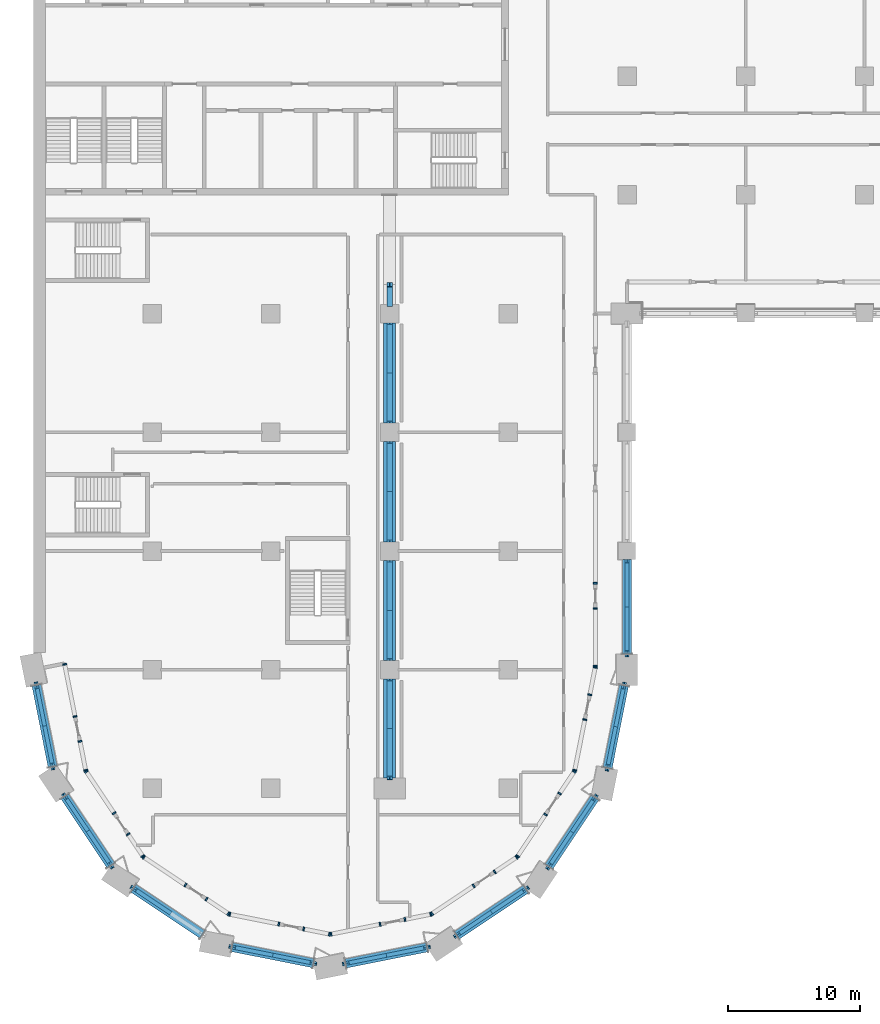
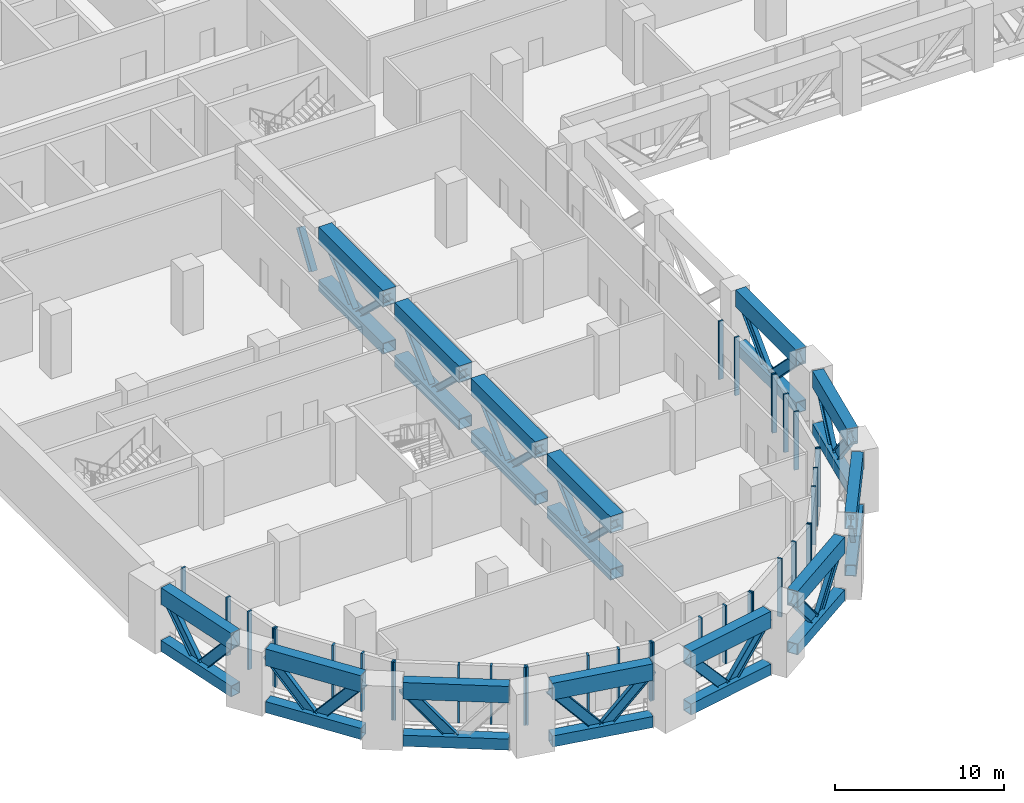
# One storey, part 2 of 24: 87 members.
"""IFC4 building model written with IfcOpenShell, lengths in metres."""

from ifc_helpers import new_model, si_unit, direction, frame, origin, origin_2d, place, context, subcontext, project, spatial, rectangle, hollow_rectangle, i_section, extrude, material, material_profile, profile_set, type_object, element, save


model = new_model("IFC4")

# Units and contexts
model_context = context("Model", 3, precision=1e-05, world=origin(), true_north=direction((0.0, 1.0)))
body_context = subcontext(model_context, "Body", "Model", "MODEL_VIEW")
ifc_project = project(units=[si_unit("LENGTHUNIT", "METRE"), si_unit("AREAUNIT", "SQUARE_METRE"), si_unit("VOLUMEUNIT", "CUBIC_METRE"), si_unit("PLANEANGLEUNIT", "RADIAN"), si_unit("MASSUNIT", "GRAM", prefix="KILO")], contexts=[model_context])

# Site, building, storey
site_placement = place(None, origin())
site = spatial("IfcSite", under=ifc_project, at=site_placement, CompositionType="ELEMENT")
building_placement = place(site_placement, origin())
building = spatial("IfcBuilding", under=site, at=building_placement, Name="Hunhe Ridgeline Campus", CompositionType="ELEMENT")
storey_placement = place(building_placement, frame((0.0, 0.0, 80.199951171875)))
storey = spatial("IfcBuildingStorey", under=building, at=storey_placement, Name="L19", CompositionType="ELEMENT", Elevation=80.199951171875)

# Members
ifc_material_1 = material(Name="Steel Q420", Category="steel")
ifc_material_profile_1 = material_profile(ifc_material_1, hollow_rectangle(XDim=0.699951171875, YDim=0.800048828125, WallThickness=0.0400390625, at=origin_2d()))
ifc_profile_set_1 = profile_set([ifc_material_profile_1], Name="Steel Q420")
member_type_1 = type_object("IfcMemberType", Name="Belt truss bottom chord Box 800x700x40 Steel Q420", PredefinedType="CHORD", material=ifc_profile_set_1)
for number, where, z_axis, x_axis, name in (
    (1, (0.234130859375, 25.822998046875, 0.400146484375), (0.195076855144, -0.980787959034, 0.0), (0.980787959034, 0.195076855144, 0.0), "Belt truss BT1 bottom chord L19 2"),
    (2, (2.37939453125, 17.391845703125, 0.400146484375), (0.555570106491, -0.831469696846, 0.0), (0.831469696846, 0.555570106491, 0.0), "Belt truss BT1 bottom chord L19 6"),
    (3, (7.587890625, 10.42333984375, 0.400146484375), (0.831469696846, -0.555570106491, 0.0), (0.555570106491, 0.831469696846, 0.0), "Belt truss BT1 bottom chord L19 10"),
    (4, (15.066650390625, 5.978515625, 0.400146484375), (0.980787959034, -0.195076855144, 0.0), (0.195076855144, 0.980787959034, 0.0), "Belt truss BT1 bottom chord L19 14"),
    (5, (23.677001953125, 4.734130859375, 0.400146484375), (0.980787959034, 0.195076855144, 0.0), (-0.195076855144, 0.980787959034, 0.0), "Belt truss BT1 bottom chord L19 18"),
    (6, (32.108154296875, 6.87939453125, 0.400146484375), (0.831469696846, 0.555570106491, 0.0), (-0.555570106491, 0.831469696846, 0.0), "Belt truss BT1 bottom chord L19 22"),
    (7, (39.07666015625, 12.087890625, 0.400146484375), (0.555570106491, 0.831469696846, 0.0), (-0.831469696846, 0.555570106491, 0.0), "Belt truss BT1 bottom chord L19 26"),
):
    element("IfcMember", number, at=place(storey_placement, frame(where, z_axis=z_axis, x_axis=x_axis)), inside=storey, type_object=member_type_1, Name=name, PredefinedType="CHORD", context=body_context, shape_type="SweptSolid", body=[
        extrude(hollow_rectangle(XDim=0.699951171875, YDim=0.800048828125, WallThickness=0.0400390625, at=origin_2d()), origin(), (0.0, 0.0, 1.0), 6.280029296875),
    ])
member_1_placement = place(storey_placement, frame((43.521484375, 19.566650390625, 0.400146484375), z_axis=(0.195067021304, 0.980789914915, 0.0), x_axis=(-0.980789914915, 0.195067021304, 0.0)))
element("IfcMember", 8, at=member_1_placement, inside=storey, type_object=member_type_1, Name="Belt truss BT1 bottom chord L19 30", PredefinedType="CHORD", context=body_context, shape_type="SweptSolid", body=[
    extrude(hollow_rectangle(XDim=0.699951171875, YDim=0.800048828125, WallThickness=0.0400390625, at=origin_2d()), origin(), (0.0, 0.0, 1.0), 6.35546875),
])
member_2_placement = place(storey_placement, frame((45.0, 28.199951171875, 0.400146484375), z_axis=(0.0, 1.0, 0.0), x_axis=(-1.0, 0.0, 0.0)))
element("IfcMember", 9, at=member_2_placement, inside=storey, type_object=member_type_1, Name="Belt truss BT1 bottom chord L19 34", PredefinedType="CHORD", context=body_context, shape_type="SweptSolid", body=[
    extrude(hollow_rectangle(XDim=0.699951171875, YDim=0.800048828125, WallThickness=0.0400390625, at=origin_2d()), origin(), (0.0, 0.0, 1.0), 7.150146484375),
])
ifc_material_profile_2 = material_profile(ifc_material_1, i_section(OverallWidth=0.300048828125, OverallDepth=0.699951171875, WebThickness=0.012939453125, FlangeThickness=0.02392578125, FilletRadius=0.01806640625, at=origin_2d()))
ifc_profile_set_2 = profile_set([ifc_material_profile_2], Name="Steel Q420")
member_type_2 = type_object("IfcMemberType", Name="Belt truss diagonal HN700x300x13x24 Steel Q420", PredefinedType="BRACE", material=ifc_profile_set_2)
member_3_placement = place(storey_placement, frame((0.234130859375, 25.822998046875, 4.0), z_axis=(0.128233528424, -0.644694191925, -0.753608360547), x_axis=(0.980786479547, 0.195084293419, 0.0)))
element("IfcMember", 10, at=member_3_placement, inside=storey, type_object=member_type_2, Name="Belt truss BT1 diagonal L19 3", PredefinedType="BRACE", context=body_context, shape_type="SweptSolid", body=[
    extrude(i_section(OverallWidth=0.300048828125, OverallDepth=0.699951171875, WebThickness=0.012939453125, FlangeThickness=0.02392578125, FilletRadius=0.01806640625, at=origin_2d()), origin(), (0.0, 0.0, 1.0), 4.77685546875),
])
member_4_placement = place(storey_placement, frame((0.8466796875, 22.743408203125, 0.400146484375), z_axis=(0.128229303178, -0.644724057229, 0.753583529436), x_axis=(0.980789438353, 0.195069417426, 0.0)))
element("IfcMember", 11, at=member_4_placement, inside=storey, type_object=member_type_2, Name="Belt truss BT1 diagonal L19 4", PredefinedType="BRACE", context=body_context, shape_type="SweptSolid", body=[
    extrude(i_section(OverallWidth=0.300048828125, OverallDepth=0.699951171875, WebThickness=0.012939453125, FlangeThickness=0.02392578125, FilletRadius=0.01806640625, at=origin_2d()), origin(), (0.0, 0.0, 1.0), 4.777099609375),
])
for number, where, z_axis, x_axis, name in (
    (12, (2.37939453125, 17.391845703125, 4.0), (0.365218893814, -0.546550636782, -0.753589782995), (0.831451738652, 0.555596981897, 0.0), "Belt truss BT1 diagonal L19 7"),
    (13, (4.1240234375, 14.781005859375, 0.400146484375), (0.36517460147, -0.546560838085, 0.753603848659), (0.831487654948, 0.555543229344, 0.0), "Belt truss BT1 diagonal L19 8"),
    (14, (7.587890625, 10.42333984375, 4.0), (0.546560838085, -0.36517460147, -0.753603848659), (0.555543229344, 0.831487654948, 0.0), "Belt truss BT1 diagonal L19 11"),
    (15, (15.066650390625, 5.978515625, 4.0), (0.644694191925, -0.128233528424, -0.753608360547), (0.195084293419, 0.980786479547, 0.0), "Belt truss BT1 diagonal L19 15"),
):
    element("IfcMember", number, at=place(storey_placement, frame(where, z_axis=z_axis, x_axis=x_axis)), inside=storey, type_object=member_type_2, Name=name, PredefinedType="BRACE", context=body_context, shape_type="SweptSolid", body=[
        extrude(i_section(OverallWidth=0.300048828125, OverallDepth=0.699951171875, WebThickness=0.012939453125, FlangeThickness=0.02392578125, FilletRadius=0.01806640625, at=origin_2d()), origin(), (0.0, 0.0, 1.0), 4.77685546875),
    ])
member_5_placement = place(storey_placement, frame((18.146240234375, 5.365966796875, 0.400146484375), z_axis=(0.644724057229, -0.128229303178, 0.753583529436), x_axis=(0.195069417426, 0.980789438353, 0.0)))
element("IfcMember", 16, at=member_5_placement, inside=storey, type_object=member_type_2, Name="Belt truss BT1 diagonal L19 16", PredefinedType="BRACE", context=body_context, shape_type="SweptSolid", body=[
    extrude(i_section(OverallWidth=0.300048828125, OverallDepth=0.699951171875, WebThickness=0.012939453125, FlangeThickness=0.02392578125, FilletRadius=0.01806640625, at=origin_2d()), origin(), (0.0, 0.0, 1.0), 4.777099609375),
])
member_6_placement = place(storey_placement, frame((23.677001953125, 4.734130859375, 4.0), z_axis=(0.644694191925, 0.128233528424, -0.753608360547), x_axis=(-0.195084293419, 0.980786479547, 0.0)))
element("IfcMember", 17, at=member_6_placement, inside=storey, type_object=member_type_2, Name="Belt truss BT1 diagonal L19 19", PredefinedType="BRACE", context=body_context, shape_type="SweptSolid", body=[
    extrude(i_section(OverallWidth=0.300048828125, OverallDepth=0.699951171875, WebThickness=0.012939453125, FlangeThickness=0.02392578125, FilletRadius=0.01806640625, at=origin_2d()), origin(), (0.0, 0.0, 1.0), 4.77685546875),
])
member_7_placement = place(storey_placement, frame((26.756591796875, 5.3466796875, 0.400146484375), z_axis=(0.644724057229, 0.128229303178, 0.753583529436), x_axis=(-0.195069417426, 0.980789438353, 0.0)))
element("IfcMember", 18, at=member_7_placement, inside=storey, type_object=member_type_2, Name="Belt truss BT1 diagonal L19 20", PredefinedType="BRACE", context=body_context, shape_type="SweptSolid", body=[
    extrude(i_section(OverallWidth=0.300048828125, OverallDepth=0.699951171875, WebThickness=0.012939453125, FlangeThickness=0.02392578125, FilletRadius=0.01806640625, at=origin_2d()), origin(), (0.0, 0.0, 1.0), 4.777099609375),
])
for number, where, z_axis, x_axis, name in (
    (19, (32.108154296875, 6.87939453125, 4.0), (0.546550636782, 0.365218893814, -0.753589782995), (-0.555596981897, 0.831451738652, 0.0), "Belt truss BT1 diagonal L19 23"),
    (20, (34.718994140625, 8.6240234375, 0.400146484375), (0.546560838085, 0.36517460147, 0.753603848659), (-0.555543229344, 0.831487654948, 0.0), "Belt truss BT1 diagonal L19 24"),
    (21, (39.07666015625, 12.087890625, 4.0), (0.36517460147, 0.546560838085, -0.753603848659), (-0.831487654948, 0.555543229344, 0.0), "Belt truss BT1 diagonal L19 27"),
    (22, (40.821044921875, 14.69873046875, 0.400146484375), (0.365218893814, 0.546550636782, 0.753589782995), (-0.831451738652, 0.555596981897, 0.0), "Belt truss BT1 diagonal L19 28"),
):
    element("IfcMember", number, at=place(storey_placement, frame(where, z_axis=z_axis, x_axis=x_axis)), inside=storey, type_object=member_type_2, Name=name, PredefinedType="BRACE", context=body_context, shape_type="SweptSolid", body=[
        extrude(i_section(OverallWidth=0.300048828125, OverallDepth=0.699951171875, WebThickness=0.012939453125, FlangeThickness=0.02392578125, FilletRadius=0.01806640625, at=origin_2d()), origin(), (0.0, 0.0, 1.0), 4.77685546875),
    ])
for number, where, z_axis, x_axis, name in (
    (23, (43.521484375, 19.566650390625, 4.0), (0.129092596118, 0.649072895644, -0.749692922314), (-0.980789914915, 0.195067021304, 0.0), "Belt truss BT1 diagonal L19 31"),
    (24, (44.141357421875, 22.683349609375, 0.400146484375), (0.129092596118, 0.649072895644, 0.749692922314), (-0.980789914915, 0.195067021304, 0.0), "Belt truss BT1 diagonal L19 32"),
):
    element("IfcMember", number, at=place(storey_placement, frame(where, z_axis=z_axis, x_axis=x_axis)), inside=storey, type_object=member_type_2, Name=name, PredefinedType="BRACE", context=body_context, shape_type="SweptSolid", body=[
        extrude(i_section(OverallWidth=0.300048828125, OverallDepth=0.699951171875, WebThickness=0.012939453125, FlangeThickness=0.02392578125, FilletRadius=0.01806640625, at=origin_2d()), origin(), (0.0, 0.0, 1.0), 4.8017578125),
    ])
for number, where, z_axis, x_axis, name in (
    (25, (45.0, 28.199951171875, 4.0), (0.0, 0.704648307598, -0.709556736702), (-1.0, 0.0, 0.0), "Belt truss BT1 diagonal L19 35"),
    (26, (45.0, 31.77490234375, 0.400146484375), (0.0, 0.704672534312, 0.709532676757), (-1.0, 0.0, 0.0), "Belt truss BT1 diagonal L19 36"),
):
    element("IfcMember", number, at=place(storey_placement, frame(where, z_axis=z_axis, x_axis=x_axis)), inside=storey, type_object=member_type_2, Name=name, PredefinedType="BRACE", context=body_context, shape_type="SweptSolid", body=[
        extrude(i_section(OverallWidth=0.300048828125, OverallDepth=0.699951171875, WebThickness=0.012939453125, FlangeThickness=0.02392578125, FilletRadius=0.01806640625, at=origin_2d()), origin(), (0.0, 0.0, 1.0), 5.073486328125),
    ])
ifc_material_profile_3 = material_profile(ifc_material_1, hollow_rectangle(XDim=0.699951171875, YDim=1.199951171875, WallThickness=0.0400390625, at=origin_2d()))
ifc_profile_set_3 = profile_set([ifc_material_profile_3], Name="Steel Q420")
member_type_3 = type_object("IfcMemberType", Name="Belt truss top chord Box 1200x700x40 Steel Q420", PredefinedType="CHORD", material=ifc_profile_set_3)
for number, where, z_axis, x_axis, name in (
    (27, (0.234130859375, 25.822998046875, 4.0), (0.195076855144, -0.980787959034, 0.0), (0.980787959034, 0.195076855144, 0.0), "Belt truss BT1 top chord L19 1"),
    (28, (2.37939453125, 17.391845703125, 4.0), (0.555570106491, -0.831469696846, 0.0), (0.831469696846, 0.555570106491, 0.0), "Belt truss BT1 top chord L19 5"),
    (29, (7.587890625, 10.42333984375, 4.0), (0.831469696846, -0.555570106491, 0.0), (0.555570106491, 0.831469696846, 0.0), "Belt truss BT1 top chord L19 9"),
    (30, (15.066650390625, 5.978515625, 4.0), (0.980787959034, -0.195076855144, 0.0), (0.195076855144, 0.980787959034, 0.0), "Belt truss BT1 top chord L19 13"),
    (31, (23.677001953125, 4.734130859375, 4.0), (0.980787959034, 0.195076855144, 0.0), (-0.195076855144, 0.980787959034, 0.0), "Belt truss BT1 top chord L19 17"),
    (32, (32.108154296875, 6.87939453125, 4.0), (0.831469696846, 0.555570106491, 0.0), (-0.555570106491, 0.831469696846, 0.0), "Belt truss BT1 top chord L19 21"),
    (33, (39.07666015625, 12.087890625, 4.0), (0.555570106491, 0.831469696846, 0.0), (-0.831469696846, 0.555570106491, 0.0), "Belt truss BT1 top chord L19 25"),
):
    element("IfcMember", number, at=place(storey_placement, frame(where, z_axis=z_axis, x_axis=x_axis)), inside=storey, type_object=member_type_3, Name=name, PredefinedType="CHORD", context=body_context, shape_type="SweptSolid", body=[
        extrude(hollow_rectangle(XDim=0.699951171875, YDim=1.199951171875, WallThickness=0.0400390625, at=origin_2d()), origin(), (0.0, 0.0, 1.0), 6.280029296875),
    ])
member_8_placement = place(storey_placement, frame((43.521484375, 19.566650390625, 4.0), z_axis=(0.195067021304, 0.980789914915, 0.0), x_axis=(-0.980789914915, 0.195067021304, 0.0)))
element("IfcMember", 34, at=member_8_placement, inside=storey, type_object=member_type_3, Name="Belt truss BT1 top chord L19 29", PredefinedType="CHORD", context=body_context, shape_type="SweptSolid", body=[
    extrude(hollow_rectangle(XDim=0.699951171875, YDim=1.199951171875, WallThickness=0.0400390625, at=origin_2d()), origin(), (0.0, 0.0, 1.0), 6.35546875),
])
member_9_placement = place(storey_placement, frame((45.0, 28.199951171875, 4.0), z_axis=(0.0, 1.0, 0.0), x_axis=(-1.0, 0.0, 0.0)))
element("IfcMember", 35, at=member_9_placement, inside=storey, type_object=member_type_3, Name="Belt truss BT1 top chord L19 33", PredefinedType="CHORD", context=body_context, shape_type="SweptSolid", body=[
    extrude(hollow_rectangle(XDim=0.699951171875, YDim=1.199951171875, WallThickness=0.0400390625, at=origin_2d()), origin(), (0.0, 0.0, 1.0), 7.150146484375),
])
ifc_material_2 = material(Name="Aluminium 6063", Category="aluminium")
ifc_material_profile_4 = material_profile(ifc_material_2, rectangle(XDim=0.300048828125, YDim=0.1201171875, at=origin_2d()))
ifc_profile_set_4 = profile_set([ifc_material_profile_4], Name="Aluminium 6063")
member_type_4 = type_object("IfcMemberType", Name="Louvre frame jamb 120x300 Aluminium 6063", PredefinedType="USERDEFINED", material=ifc_profile_set_4)
for number, where, z_axis, x_axis, name in (
    (36, (2.366455078125, 27.409912109375, 0.0), (0.0, 0.0, 1.0), (0.980784280831, 0.195095347137, 0.0), "Louvre frame jamb 1a"),
    (37, (3.15283203125, 23.456298828125, 0.0), (0.0, 0.0, 1.0), (0.980784280831, 0.195095347137, 0.0), "Louvre frame jamb 1b"),
    (38, (3.52734375, 21.5732421875, 0.0), (0.0, 0.0, 1.0), (0.980784306597, 0.195095217605, 0.0), "Louvre frame jamb 2a"),
    (39, (3.962646484375, 19.38525390625, 0.0), (0.0, 0.0, 1.0), (0.980784306597, 0.195095217605, 0.0), "Louvre frame jamb 2b"),
    (40, (4.0078125, 19.276611328125, 0.0), (0.0, 0.0, 1.0), (0.83146952548, 0.555570362959, 0.0), "Louvre frame jamb 3a"),
    (41, (6.114501953125, 16.123779296875, 0.0), (0.0, 0.0, 1.0), (0.83146952548, 0.555570362959, 0.0), "Louvre frame jamb 3b"),
    (42, (7.18115234375, 14.52734375, 0.0), (0.0, 0.0, 1.0), (0.831469622629, 0.555570217564, 0.0), "Louvre frame jamb 4a"),
    (43, (8.287841796875, 12.87109375, 0.0), (0.0, 0.0, 1.0), (0.831469622629, 0.555570217564, 0.0), "Louvre frame jamb 4b"),
    (44, (8.37109375, 12.787841796875, 0.0), (0.0, 0.0, 1.0), (0.555570186233, 0.831469643564, 0.0), "Louvre frame jamb 5a"),
    (45, (11.52392578125, 10.68115234375, 0.0), (0.0, 0.0, 1.0), (0.555570186233, 0.831469643564, 0.0), "Louvre frame jamb 5b"),
    (46, (13.120361328125, 9.614501953125, 0.0), (0.0, 0.0, 1.0), (0.555570217564, 0.831469622629, 0.0), "Louvre frame jamb 6a"),
    (47, (14.776611328125, 8.5078125, 0.0), (0.0, 0.0, 1.0), (0.555570217564, 0.831469622629, 0.0), "Louvre frame jamb 6b"),
    (48, (14.88525390625, 8.462646484375, 0.0), (0.0, 0.0, 1.0), (0.195090224598, 0.980785299781, 0.0), "Louvre frame jamb 7a"),
    (49, (18.6044921875, 7.722900390625, 0.0), (0.0, 0.0, 1.0), (0.195090224598, 0.980785299781, 0.0), "Louvre frame jamb 7b"),
    (50, (20.487548828125, 7.348388671875, 0.0), (0.0, 0.0, 1.0), (0.195090359847, 0.980785272878, 0.0), "Louvre frame jamb 8a"),
    (51, (22.441162109375, 6.959716796875, 0.0), (0.0, 0.0, 1.0), (0.195090359847, 0.980785272878, 0.0), "Louvre frame jamb 8b"),
    (52, (22.558837890625, 6.959716796875, 0.0), (0.0, 0.0, 1.0), (-0.195090470497, 0.980785250869, 0.0), "Louvre frame jamb 9a"),
    (53, (26.27783203125, 7.699462890625, 0.0), (0.0, 0.0, 1.0), (-0.195090470497, 0.980785250869, 0.0), "Louvre frame jamb 9b"),
    (54, (28.1611328125, 8.073974609375, 0.0), (0.0, 0.0, 1.0), (-0.195090359847, 0.980785272878, 0.0), "Louvre frame jamb 10a"),
    (55, (30.11474609375, 8.462646484375, 0.0), (0.0, 0.0, 1.0), (-0.195090359847, 0.980785272878, 0.0), "Louvre frame jamb 10b"),
    (56, (30.223388671875, 8.5078125, 0.0), (0.0, 0.0, 1.0), (-0.555570362959, 0.83146952548, 0.0), "Louvre frame jamb 11a"),
    (57, (33.376220703125, 10.614501953125, 0.0), (0.0, 0.0, 1.0), (-0.555570362959, 0.83146952548, 0.0), "Louvre frame jamb 11b"),
    (58, (34.97265625, 11.68115234375, 0.0), (0.0, 0.0, 1.0), (-0.555570217564, 0.831469622629, 0.0), "Louvre frame jamb 12a"),
    (59, (36.62890625, 12.787841796875, 0.0), (0.0, 0.0, 1.0), (-0.555570217564, 0.831469622629, 0.0), "Louvre frame jamb 12b"),
    (60, (36.712158203125, 12.87109375, 0.0), (0.0, 0.0, 1.0), (-0.83146952548, 0.555570362959, 0.0), "Louvre frame jamb 13a"),
    (61, (38.81884765625, 16.02392578125, 0.0), (0.0, 0.0, 1.0), (-0.83146952548, 0.555570362959, 0.0), "Louvre frame jamb 13b"),
    (62, (39.885498046875, 17.620361328125, 0.0), (0.0, 0.0, 1.0), (-0.831469622629, 0.555570217564, 0.0), "Louvre frame jamb 14a"),
    (63, (40.9921875, 19.276611328125, 0.0), (0.0, 0.0, 1.0), (-0.831469622629, 0.555570217564, 0.0), "Louvre frame jamb 14b"),
    (64, (41.037353515625, 19.38525390625, 0.0), (0.0, 0.0, 1.0), (-0.980785308664, 0.195090179937, 0.0), "Louvre frame jamb 15a"),
    (65, (41.800537109375, 23.22265625, 0.0), (0.0, 0.0, 1.0), (-0.980785308664, 0.195090179937, 0.0), "Louvre frame jamb 15b"),
    (66, (42.175048828125, 25.105712890625, 0.0), (0.0, 0.0, 1.0), (-0.980785273328, 0.195090357587, 0.0), "Louvre frame jamb 16a"),
    (67, (42.58740234375, 27.177734375, 0.0), (0.0, 0.0, 1.0), (-0.980785273328, 0.195090357587, 0.0), "Louvre frame jamb 16b"),
    (68, (42.59912109375, 27.29638671875, 0.0), (0.0, 0.0, 1.0), (-0.99999999994, 1.0984806e-05, 0.0), "Louvre frame jamb 17a"),
    (69, (42.59912109375, 31.63720703125, 0.0), (0.0, 0.0, 1.0), (-0.99999999994, 1.0984806e-05, 0.0), "Louvre frame jamb 17b"),
    (70, (42.59912109375, 33.55712890625, 0.0), (0.0, 0.0, 1.0), (-0.99999999994, 1.0952884e-05, 0.0), "Louvre frame jamb 18a"),
):
    element("IfcMember", number, at=place(storey_placement, frame(where, z_axis=z_axis, x_axis=x_axis)), inside=storey, type_object=member_type_4, Name=name, ObjectType="LOUVRE FRAME", PredefinedType="USERDEFINED", context=body_context, shape_type="SweptSolid", body=[
        extrude(rectangle(XDim=0.300048828125, YDim=0.1201171875, at=origin_2d()), origin(), (0.0, 0.0, 1.0), 4.199951171875),
    ])
ifc_material_profile_5 = material_profile(ifc_material_1, hollow_rectangle(XDim=0.89990234375, YDim=0.800048828125, WallThickness=0.050048828125, at=origin_2d()))
ifc_profile_set_5 = profile_set([ifc_material_profile_5], Name="Steel Q420")
member_type_5 = type_object("IfcMemberType", Name="Outrigger truss bottom chord Box 800x900x50 Steel Q420", PredefinedType="CHORD", material=ifc_profile_set_5)
for number, where, z_axis, x_axis, name in (
    (71, (27.0, 53.300048828125, 0.400146484375), (0.0, -1.0, 0.0), (1.0, 0.0, 0.0), "Outrigger truss OR2 bottom chord L19 5"),
    (72, (27.0, 44.300048828125, 0.400146484375), (0.0, -1.0, 0.0), (1.0, 0.0, 0.0), "Outrigger truss OR2 bottom chord L19 9"),
    (73, (27.0, 35.300048828125, 0.400146484375), (0.0, -1.0, 0.0), (1.0, 0.0, 0.0), "Outrigger truss OR2 bottom chord L19 13"),
):
    element("IfcMember", number, at=place(storey_placement, frame(where, z_axis=z_axis, x_axis=x_axis)), inside=storey, type_object=member_type_5, Name=name, PredefinedType="CHORD", context=body_context, shape_type="SweptSolid", body=[
        extrude(hollow_rectangle(XDim=0.89990234375, YDim=0.800048828125, WallThickness=0.050048828125, at=origin_2d()), origin(), (0.0, 0.0, 1.0), 7.60009765625),
    ])
member_10_placement = place(storey_placement, frame((27.0, 26.300048828125, 0.400146484375), z_axis=(0.0, -1.0, 0.0), x_axis=(1.0, 0.0, 0.0)))
element("IfcMember", 74, at=member_10_placement, inside=storey, type_object=member_type_5, Name="Outrigger truss OR2 bottom chord L19 17", PredefinedType="CHORD", context=body_context, shape_type="SweptSolid", body=[
    extrude(hollow_rectangle(XDim=0.89990234375, YDim=0.800048828125, WallThickness=0.050048828125, at=origin_2d()), origin(), (0.0, 0.0, 1.0), 7.5),
])
ifc_material_profile_6 = material_profile(ifc_material_1, i_section(OverallWidth=0.405029296875, OverallDepth=0.4140625, WebThickness=0.01806640625, FlangeThickness=0.028076171875, FilletRadius=0.02197265625, at=origin_2d()))
ifc_profile_set_6 = profile_set([ifc_material_profile_6], Name="Steel Q420")
member_type_6 = type_object("IfcMemberType", Name="Outrigger truss diagonal HW414x405x18x28 Steel Q420", PredefinedType="BRACE", material=ifc_profile_set_6)
member_11_placement = place(storey_placement, frame((27.0, 56.199951171875, 2.699951171875), z_axis=(0.0, -0.546300327661, -0.837589369558), x_axis=(1.0, 0.0, 0.0)))
element("IfcMember", 75, at=member_11_placement, inside=storey, type_object=member_type_6, Name="Outrigger truss OR2 knee brace L19 3", PredefinedType="BRACE", context=body_context, shape_type="SweptSolid", body=[
    extrude(i_section(OverallWidth=0.405029296875, OverallDepth=0.4140625, WebThickness=0.01806640625, FlangeThickness=0.028076171875, FilletRadius=0.02197265625, at=origin_2d()), origin(), (0.0, 0.0, 1.0), 2.745849609375),
])
for number, where, z_axis, x_axis, name in (
    (76, (27.0, 53.300048828125, 4.0), (0.0, -0.725971067789, -0.687725242181), (1.0, 0.0, 0.0), "Outrigger truss OR2 diagonal L19 6"),
    (77, (27.0, 49.5, 0.400146484375), (0.0, -0.725971067789, 0.687725242181), (1.0, 0.0, 0.0), "Outrigger truss OR2 diagonal L19 7"),
    (78, (27.0, 44.300048828125, 4.0), (0.0, -0.725971067789, -0.687725242181), (1.0, 0.0, 0.0), "Outrigger truss OR2 diagonal L19 10"),
    (79, (27.0, 40.5, 0.400146484375), (0.0, -0.725971067789, 0.687725242181), (1.0, 0.0, 0.0), "Outrigger truss OR2 diagonal L19 11"),
    (80, (27.0, 35.300048828125, 4.0), (0.0, -0.725971067789, -0.687725242181), (1.0, 0.0, 0.0), "Outrigger truss OR2 diagonal L19 14"),
    (81, (27.0, 31.5, 0.400146484375), (0.0, -0.725971067789, 0.687725242181), (1.0, 0.0, 0.0), "Outrigger truss OR2 diagonal L19 15"),
):
    element("IfcMember", number, at=place(storey_placement, frame(where, z_axis=z_axis, x_axis=x_axis)), inside=storey, type_object=member_type_6, Name=name, PredefinedType="BRACE", context=body_context, shape_type="SweptSolid", body=[
        extrude(i_section(OverallWidth=0.405029296875, OverallDepth=0.4140625, WebThickness=0.01806640625, FlangeThickness=0.028076171875, FilletRadius=0.02197265625, at=origin_2d()), origin(), (0.0, 0.0, 1.0), 5.234375),
    ])
for number, where, z_axis, x_axis, name in (
    (82, (27.0, 26.300048828125, 4.0), (0.0, -0.721401399021, -0.692517163318), (1.0, 0.0, 0.0), "Outrigger truss OR2 diagonal L19 18"),
    (83, (27.0, 22.550048828125, 0.400146484375), (0.0, -0.721401399021, 0.692517163318), (1.0, 0.0, 0.0), "Outrigger truss OR2 diagonal L19 19"),
):
    element("IfcMember", number, at=place(storey_placement, frame(where, z_axis=z_axis, x_axis=x_axis)), inside=storey, type_object=member_type_6, Name=name, PredefinedType="BRACE", context=body_context, shape_type="SweptSolid", body=[
        extrude(i_section(OverallWidth=0.405029296875, OverallDepth=0.4140625, WebThickness=0.01806640625, FlangeThickness=0.028076171875, FilletRadius=0.02197265625, at=origin_2d()), origin(), (0.0, 0.0, 1.0), 5.1982421875),
    ])
ifc_material_profile_7 = material_profile(ifc_material_1, hollow_rectangle(XDim=0.89990234375, YDim=1.199951171875, WallThickness=0.050048828125, at=origin_2d()))
ifc_profile_set_7 = profile_set([ifc_material_profile_7], Name="Steel Q420")
member_type_7 = type_object("IfcMemberType", Name="Outrigger truss top chord Box 1200x900x50 Steel Q420", PredefinedType="CHORD", material=ifc_profile_set_7)
for number, where, z_axis, x_axis, name in (
    (84, (27.0, 53.300048828125, 4.0), (0.0, -1.0, 0.0), (1.0, 0.0, 0.0), "Outrigger truss OR2 top chord L19 4"),
    (85, (27.0, 44.300048828125, 4.0), (0.0, -1.0, 0.0), (1.0, 0.0, 0.0), "Outrigger truss OR2 top chord L19 8"),
    (86, (27.0, 35.300048828125, 4.0), (0.0, -1.0, 0.0), (1.0, 0.0, 0.0), "Outrigger truss OR2 top chord L19 12"),
):
    element("IfcMember", number, at=place(storey_placement, frame(where, z_axis=z_axis, x_axis=x_axis)), inside=storey, type_object=member_type_7, Name=name, PredefinedType="CHORD", context=body_context, shape_type="SweptSolid", body=[
        extrude(hollow_rectangle(XDim=0.89990234375, YDim=1.199951171875, WallThickness=0.050048828125, at=origin_2d()), origin(), (0.0, 0.0, 1.0), 7.60009765625),
    ])
member_12_placement = place(storey_placement, frame((27.0, 26.300048828125, 4.0), z_axis=(0.0, -1.0, 0.0), x_axis=(1.0, 0.0, 0.0)))
element("IfcMember", 87, at=member_12_placement, inside=storey, type_object=member_type_7, Name="Outrigger truss OR2 top chord L19 16", PredefinedType="CHORD", context=body_context, shape_type="SweptSolid", body=[
    extrude(hollow_rectangle(XDim=0.89990234375, YDim=1.199951171875, WallThickness=0.050048828125, at=origin_2d()), origin(), (0.0, 0.0, 1.0), 7.5),
])

save(model, "model.ifc")
